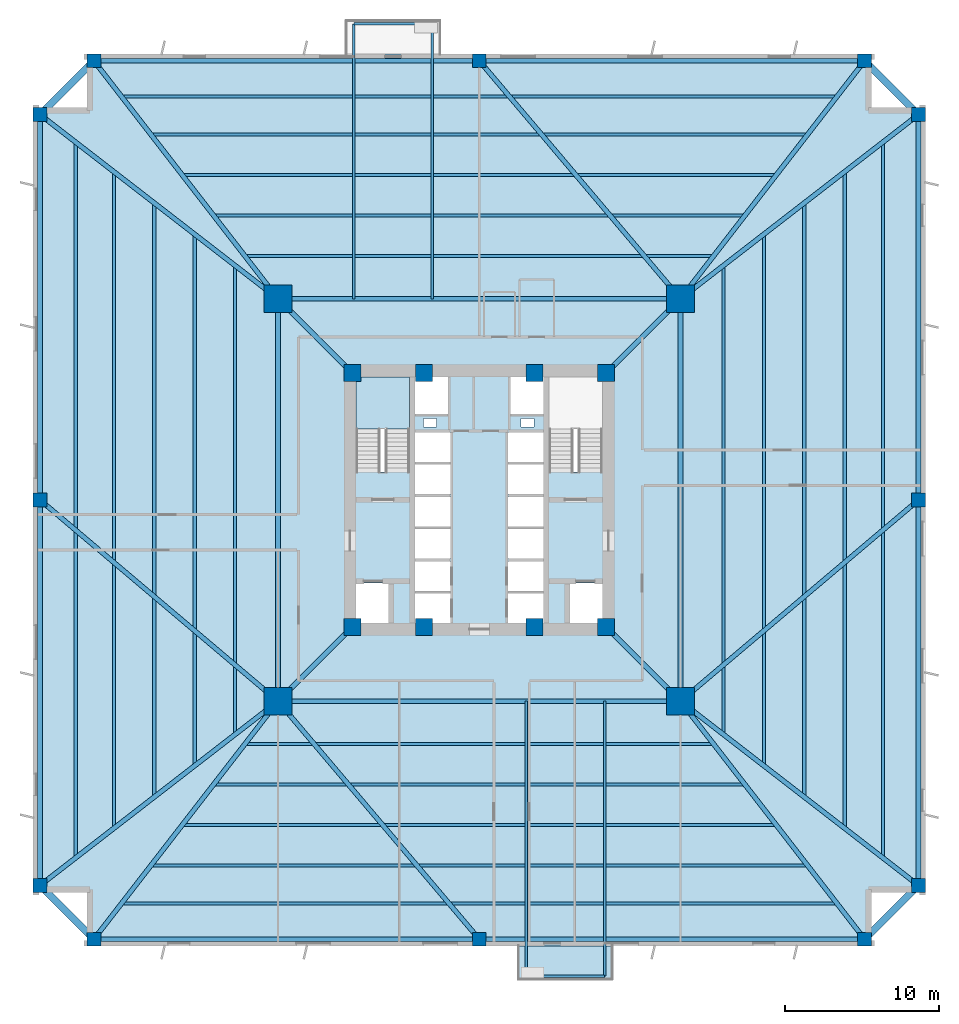
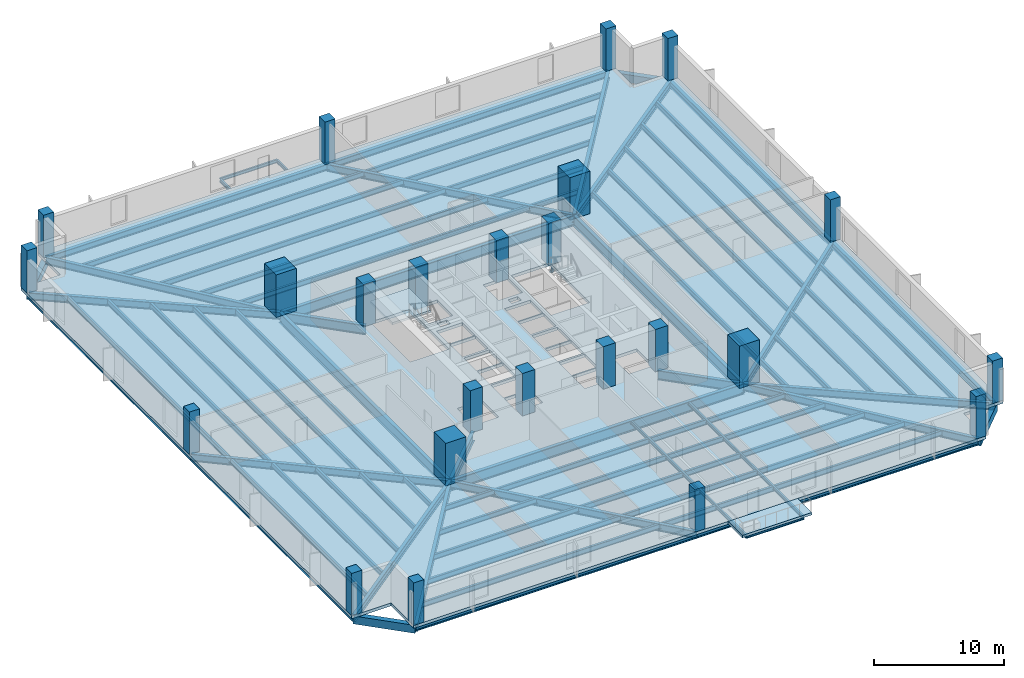
# One storey, part 1 of 8: 58 beams, 24 columns, 3 slabs, 1 element without a shape of its own.
"""IFC4 building model written with IfcOpenShell, lengths in metres."""

from ifc_helpers import new_model, si_unit, direction, frame, origin, origin_2d, place, context, subcontext, project, spatial, polyline, rectangle, i_section, outline, extrude, source, transform, mapped, material, layer, layer_set, material_profile, profile_set, type_object, element, aggregate, save


model = new_model("IFC4")

# Units and contexts
model_context = context("Model", 3, precision=1e-05, world=origin(), true_north=direction((0.0, 1.0)))
body_context = subcontext(model_context, "Body", "Model", "MODEL_VIEW")
ifc_project = project(units=[si_unit("LENGTHUNIT", "METRE"), si_unit("AREAUNIT", "SQUARE_METRE"), si_unit("VOLUMEUNIT", "CUBIC_METRE"), si_unit("PLANEANGLEUNIT", "RADIAN"), si_unit("MASSUNIT", "GRAM", prefix="KILO"), si_unit("THERMODYNAMICTEMPERATUREUNIT", "KELVIN")], contexts=[model_context])

# Site, building, storey
site_placement = place(None, origin())
site = spatial("IfcSite", under=ifc_project, at=site_placement, CompositionType="ELEMENT")
building_placement = place(site_placement, origin())
building = spatial("IfcBuilding", under=site, at=building_placement, Name="Kosmvard Interchange Tower", CompositionType="ELEMENT")
storey_placement = place(building_placement, frame((0.0, 0.0, 50.0)))
storey = spatial("IfcBuildingStorey", under=building, at=storey_placement, Name="L11", CompositionType="ELEMENT", Elevation=50.0)

# Columns
ifc_material_1 = material(Name="Concrete C80/95", Category="concrete")
ifc_material_profile_1 = material_profile(ifc_material_1, rectangle(XDim=1.10009765625, YDim=1.10009765625, at=origin_2d()), Name="CP 1100x1100")
ifc_profile_set_1 = profile_set([ifc_material_profile_1], Name="Concrete C80/95")
column_type_1 = type_object("IfcColumnType", Name="Core Boundary Pilaster 1100x1100 C80/95", PredefinedType="PILASTER", material=ifc_profile_set_1)
shared_shape_1 = source(origin(), body_context, "Body", "SweptSolid", [
    extrude(rectangle(XDim=1.10009765625, YDim=1.10009765625, at=origin_2d()), origin(), (0.0, 0.0, 1.0), 4.0),
])
for number, where, z_axis, x_axis, name in (
    (1, (-8.25, -8.25, 0.0), (0.0, 0.0, 1.0), (1.0, 0.0, 0.0), "L11 Core Pilaster CP1"),
    (2, (8.25, -8.25, 0.0), (0.0, 0.0, 1.0), (1.0, 0.0, 0.0), "L11 Core Pilaster CP2"),
    (3, (8.25, 8.25, 0.0), (0.0, 0.0, 1.0), (1.0, 0.0, 0.0), "L11 Core Pilaster CP3"),
    (4, (-8.25, 8.25, 0.0), (0.0, 0.0, 1.0), (1.0, 0.0, 0.0), "L11 Core Pilaster CP4"),
    (5, (-3.60009765625, -8.25, 0.0), (0.0, 0.0, 1.0), (1.0, 0.0, 0.0), "L11 Core Pilaster CP5"),
    (6, (3.60009765625, -8.25, 0.0), (0.0, 0.0, 1.0), (1.0, 0.0, 0.0), "L11 Core Pilaster CP6"),
    (7, (-3.60009765625, 8.25, 0.0), (0.0, 0.0, 1.0), (1.0, 0.0, 0.0), "L11 Core Pilaster CP7"),
    (8, (3.60009765625, 8.25, 0.0), (0.0, 0.0, 1.0), (1.0, 0.0, 0.0), "L11 Core Pilaster CP8"),
):
    element("IfcColumn", number, at=place(storey_placement, frame(where, z_axis=z_axis, x_axis=x_axis)), inside=storey, type_object=column_type_1, Name=name, PredefinedType="PILASTER", context=body_context, shape_type="MappedRepresentation", body=[
        mapped(shared_shape_1, transform((0.0, 0.0, 0.0), scale=1.0)),
    ])
ifc_material_profile_2 = material_profile(ifc_material_1, rectangle(XDim=1.800048828125, YDim=1.800048828125, at=origin_2d()), Name="MC 1800x1800")
ifc_profile_set_2 = profile_set([ifc_material_profile_2], Name="Concrete C80/95")
column_type_2 = type_object("IfcColumnType", Name="Composite Mega-Column 1800x1800 C80/95", PredefinedType="COLUMN", material=ifc_profile_set_2)
shared_shape_2 = source(origin(), body_context, "Body", "SweptSolid", [
    extrude(rectangle(XDim=1.800048828125, YDim=1.800048828125, at=origin_2d()), origin(), (0.0, 0.0, 1.0), 4.0),
])
for number, where, z_axis, x_axis, name in (
    (9, (-13.0810546875, -13.0810546875, 0.0), (0.0, 0.0, 1.0), (1.0, 0.0, 0.0), "L11 Corner Mega-Column MC1"),
    (10, (13.0810546875, -13.0810546875, 0.0), (0.0, 0.0, 1.0), (1.0, 0.0, 0.0), "L11 Corner Mega-Column MC2"),
    (11, (13.0810546875, 13.0810546875, 0.0), (0.0, 0.0, 1.0), (1.0, 0.0, 0.0), "L11 Corner Mega-Column MC3"),
    (12, (-13.0810546875, 13.0810546875, 0.0), (0.0, 0.0, 1.0), (1.0, 0.0, 0.0), "L11 Corner Mega-Column MC4"),
):
    element("IfcColumn", number, at=place(storey_placement, frame(where, z_axis=z_axis, x_axis=x_axis)), inside=storey, type_object=column_type_2, Name=name, PredefinedType="COLUMN", context=body_context, shape_type="MappedRepresentation", body=[
        mapped(shared_shape_2, transform((0.0, 0.0, 0.0), scale=1.0)),
    ])
ifc_material_2 = material(Name="Concrete C60/75", Category="concrete")
ifc_material_profile_3 = material_profile(ifc_material_2, rectangle(XDim=0.89990234375, YDim=0.89990234375, at=origin_2d()), Name="TC 900x900")
ifc_profile_set_3 = profile_set([ifc_material_profile_3], Name="Concrete C60/75")
column_type_3 = type_object("IfcColumnType", Name="Zone 1 Perimeter Pier Column 900x900 C60/75", PredefinedType="COLUMN", material=ifc_profile_set_3)
shared_shape_3 = source(origin(), body_context, "Body", "SweptSolid", [
    extrude(rectangle(XDim=0.89990234375, YDim=0.89990234375, at=origin_2d()), origin(), (0.0, 0.0, 1.0), 4.0),
])
for number, where, z_axis, x_axis, name in (
    (13, (-25.050048828125, -28.550048828125, 0.0), (0.0, 0.0, 1.0), (1.0, 0.0, 0.0), "L11 Perimeter Pier Column TC-S1"),
    (14, (0.0, -28.550048828125, 0.0), (0.0, 0.0, 1.0), (1.0, 0.0, 0.0), "L11 Perimeter Pier Column TC-S2"),
    (15, (25.050048828125, -28.550048828125, 0.0), (0.0, 0.0, 1.0), (1.0, 0.0, 0.0), "L11 Perimeter Pier Column TC-S3"),
    (16, (28.550048828125, -25.050048828125, 0.0), (0.0, 0.0, 1.0), (1.0, 0.0, 0.0), "L11 Perimeter Pier Column TC-E1"),
    (17, (28.550048828125, 0.0, 0.0), (0.0, 0.0, 1.0), (1.0, 0.0, 0.0), "L11 Perimeter Pier Column TC-E2"),
    (18, (28.550048828125, 25.050048828125, 0.0), (0.0, 0.0, 1.0), (1.0, 0.0, 0.0), "L11 Perimeter Pier Column TC-E3"),
    (19, (25.050048828125, 28.550048828125, 0.0), (0.0, 0.0, 1.0), (1.0, 0.0, 0.0), "L11 Perimeter Pier Column TC-N1"),
    (20, (0.0, 28.550048828125, 0.0), (0.0, 0.0, 1.0), (1.0, 0.0, 0.0), "L11 Perimeter Pier Column TC-N2"),
    (21, (-25.050048828125, 28.550048828125, 0.0), (0.0, 0.0, 1.0), (1.0, 0.0, 0.0), "L11 Perimeter Pier Column TC-N3"),
    (22, (-28.550048828125, 25.050048828125, 0.0), (0.0, 0.0, 1.0), (1.0, 0.0, 0.0), "L11 Perimeter Pier Column TC-W1"),
    (23, (-28.550048828125, 0.0, 0.0), (0.0, 0.0, 1.0), (1.0, 0.0, 0.0), "L11 Perimeter Pier Column TC-W2"),
    (24, (-28.550048828125, -25.050048828125, 0.0), (0.0, 0.0, 1.0), (1.0, 0.0, 0.0), "L11 Perimeter Pier Column TC-W3"),
):
    element("IfcColumn", number, at=place(storey_placement, frame(where, z_axis=z_axis, x_axis=x_axis)), inside=storey, type_object=column_type_3, Name=name, PredefinedType="COLUMN", context=body_context, shape_type="MappedRepresentation", body=[
        mapped(shared_shape_3, transform((0.0, 0.0, 0.0), scale=1.0)),
    ])

# Beams
ifc_material_3 = material(Name="Steel S460", Category="steel")
ifc_material_profile_4 = material_profile(ifc_material_3, i_section(OverallWidth=0.30810546875, OverallDepth=0.909912109375, WebThickness=0.02099609375, FlangeThickness=0.0400390625, FilletRadius=0.027099609375, at=origin_2d()), Name="HEM 900")
ifc_profile_set_4 = profile_set([ifc_material_profile_4], Name="Steel S460")
beam_type_1 = type_object("IfcBeamType", Name="Primary Mega-Frame Girder HEM 900 S460", PredefinedType="BEAM", material=ifc_profile_set_4)
shared_shape_4 = source(origin(), body_context, "Body", "SweptSolid", [
    extrude(i_section(OverallWidth=0.30810546875, OverallDepth=0.909912109375, WebThickness=0.02099609375, FlangeThickness=0.0400390625, FilletRadius=0.027099609375, at=origin_2d()), origin(), (0.0, 0.0, 1.0), 6.83203125),
])
for number, where, z_axis, x_axis, name in (
    (25, (-8.25, -8.25, -0.735107421875), (-0.707106781187, -0.707106781187, 0.0), (0.707106781187, -0.707106781187, 0.0), "L11 Radial Mega-Frame Girder 1"),
    (26, (8.25, -8.25, -0.735107421875), (0.707106781187, -0.707106781187, 0.0), (0.707106781187, 0.707106781187, 0.0), "L11 Radial Mega-Frame Girder 2"),
    (27, (8.25, 8.25, -0.735107421875), (0.707106781187, 0.707106781187, 0.0), (-0.707106781187, 0.707106781187, 0.0), "L11 Radial Mega-Frame Girder 3"),
    (28, (-8.25, 8.25, -0.735107421875), (-0.707106781187, 0.707106781187, 0.0), (-0.707106781187, -0.707106781187, 0.0), "L11 Radial Mega-Frame Girder 4"),
):
    element("IfcBeam", number, at=place(storey_placement, frame(where, z_axis=z_axis, x_axis=x_axis)), inside=storey, type_object=beam_type_1, Name=name, PredefinedType="BEAM", context=body_context, shape_type="MappedRepresentation", body=[
        mapped(shared_shape_4, transform((0.0, 0.0, 0.0), scale=1.0)),
    ])
ifc_material_profile_5 = material_profile(ifc_material_3, i_section(OverallWidth=0.30908203125, OverallDepth=1.008056640625, WebThickness=0.02099609375, FlangeThickness=0.0400390625, FilletRadius=0.030029296875, at=origin_2d()), Name="HEM 1000")
ifc_profile_set_5 = profile_set([ifc_material_profile_5], Name="Steel S460")
beam_type_2 = type_object("IfcBeamType", Name="Mega-Column Ring Girder HEM 1000 S460", PredefinedType="BEAM", material=ifc_profile_set_5)
shared_shape_5 = source(origin(), body_context, "Body", "SweptSolid", [
    extrude(i_section(OverallWidth=0.30908203125, OverallDepth=1.008056640625, WebThickness=0.02099609375, FlangeThickness=0.0400390625, FilletRadius=0.030029296875, at=origin_2d()), origin(), (0.0, 0.0, 1.0), 26.162109375),
])
for number, where, z_axis, x_axis, name in (
    (29, (-13.0810546875, -13.0810546875, -0.783935546875), (1.0, 0.0, 0.0), (0.0, 1.0, 0.0), "L11 Mega-Column Ring Girder 1"),
    (30, (13.0810546875, -13.0810546875, -0.783935546875), (0.0, 1.0, 0.0), (-1.0, 0.0, 0.0), "L11 Mega-Column Ring Girder 2"),
    (31, (13.0810546875, 13.0810546875, -0.783935546875), (-1.0, 0.0, 0.0), (0.0, -1.0, 0.0), "L11 Mega-Column Ring Girder 3"),
    (32, (-13.0810546875, 13.0810546875, -0.783935546875), (0.0, -1.0, 0.0), (1.0, 0.0, 0.0), "L11 Mega-Column Ring Girder 4"),
):
    element("IfcBeam", number, at=place(storey_placement, frame(where, z_axis=z_axis, x_axis=x_axis)), inside=storey, type_object=beam_type_2, Name=name, PredefinedType="BEAM", context=body_context, shape_type="MappedRepresentation", body=[
        mapped(shared_shape_5, transform((0.0, 0.0, 0.0), scale=1.0)),
    ])
ifc_material_4 = material(Name="Steel S355", Category="steel")
ifc_material_profile_6 = material_profile(ifc_material_4, i_section(OverallWidth=0.159912109375, OverallDepth=0.330078125, WebThickness=0.007568359375, FlangeThickness=0.011474609375, FilletRadius=0.01806640625, at=origin_2d()), Name="IPE 330")
ifc_profile_set_6 = profile_set([ifc_material_profile_6], Name="Steel S355")
beam_type_3 = type_object("IfcBeamType", Name="Balcony Cantilever Joist IPE 330 S355", PredefinedType="JOIST", material=ifc_profile_set_6)
shared_shape_6 = source(origin(), body_context, "Body", "SweptSolid", [
    extrude(i_section(OverallWidth=0.159912109375, OverallDepth=0.330078125, WebThickness=0.007568359375, FlangeThickness=0.011474609375, FilletRadius=0.01806640625, at=origin_2d()), origin(), (0.0, 0.0, 1.0), 17.868896484375),
])
for number, where, z_axis, x_axis, name in (
    (33, (-3.050048828125, 13.0810546875, -0.445068359375), (0.0, 1.0, 0.0), (-1.0, 0.0, 0.0), "BM-L11-BJ1"),
    (34, (-8.14990234375, 13.0810546875, -0.445068359375), (0.0, 1.0, 0.0), (-1.0, 0.0, 0.0), "BM-L11-BJB1"),
    (35, (3.050048828125, -13.0810546875, -0.445068359375), (0.0, -1.0, 0.0), (1.0, 0.0, 0.0), "BM-L11-BJ2"),
    (36, (8.14990234375, -13.0810546875, -0.445068359375), (0.0, -1.0, 0.0), (1.0, 0.0, 0.0), "BM-L11-BJB2"),
):
    element("IfcBeam", number, at=place(storey_placement, frame(where, z_axis=z_axis, x_axis=x_axis)), inside=storey, type_object=beam_type_3, Name=name, PredefinedType="JOIST", context=body_context, shape_type="MappedRepresentation", body=[
        mapped(shared_shape_6, transform((0.0, 0.0, 0.0), scale=1.0)),
    ])
ifc_material_profile_7 = material_profile(ifc_material_4, i_section(OverallWidth=0.14990234375, OverallDepth=0.300048828125, WebThickness=0.007080078125, FlangeThickness=0.0107421875, FilletRadius=0.014892578125, at=origin_2d()), Name="IPE 300")
ifc_profile_set_7 = profile_set([ifc_material_profile_7], Name="Steel S355")
beam_type_4 = type_object("IfcBeamType", Name="Balcony Edge Header Joist IPE 300 S355", PredefinedType="JOIST", material=ifc_profile_set_7)
shared_shape_7 = source(origin(), body_context, "Body", "SweptSolid", [
    extrude(i_section(OverallWidth=0.14990234375, OverallDepth=0.300048828125, WebThickness=0.007080078125, FlangeThickness=0.0107421875, FilletRadius=0.014892578125, at=origin_2d()), origin(), (0.0, 0.0, 1.0), 5.099853515625),
])
for number, where, z_axis, x_axis, name in (
    (37, (-3.050048828125, 30.949951171875, -0.429931640625), (-1.0, 0.0, 0.0), (0.0, -1.0, 0.0), "BM-L11-BJH1"),
    (38, (3.050048828125, -30.949951171875, -0.429931640625), (1.0, 0.0, 0.0), (0.0, 1.0, 0.0), "BM-L11-BJH2"),
):
    element("IfcBeam", number, at=place(storey_placement, frame(where, z_axis=z_axis, x_axis=x_axis)), inside=storey, type_object=beam_type_4, Name=name, PredefinedType="JOIST", context=body_context, shape_type="MappedRepresentation", body=[
        mapped(shared_shape_7, transform((0.0, 0.0, 0.0), scale=1.0)),
    ])
ifc_material_profile_8 = material_profile(ifc_material_4, i_section(OverallWidth=0.300048828125, OverallDepth=0.60009765625, WebThickness=0.015380859375, FlangeThickness=0.030029296875, FilletRadius=0.027099609375, at=origin_2d()), Name="HEB 600")
ifc_profile_set_8 = profile_set([ifc_material_profile_8], Name="Steel S355")
beam_type_5 = type_object("IfcBeamType", Name="Perimeter Tie Girder HEB 600 S355", PredefinedType="BEAM", material=ifc_profile_set_8)
shared_shape_8 = source(origin(), body_context, "Body", "SweptSolid", [
    extrude(i_section(OverallWidth=0.300048828125, OverallDepth=0.60009765625, WebThickness=0.015380859375, FlangeThickness=0.030029296875, FilletRadius=0.027099609375, at=origin_2d()), origin(), (0.0, 0.0, 1.0), 25.050048828125),
])
for number, where, z_axis, x_axis, name in (
    (39, (-25.050048828125, -28.550048828125, -0.580078125), (1.0, 0.0, 0.0), (0.0, 1.0, 0.0), "BM-L11-PR01"),
    (40, (0.0, -28.550048828125, -0.580078125), (1.0, 0.0, 0.0), (0.0, 1.0, 0.0), "BM-L11-PR02"),
    (41, (28.550048828125, -25.050048828125, -0.580078125), (0.0, 1.0, 0.0), (-1.0, 0.0, 0.0), "BM-L11-PR04"),
    (42, (28.550048828125, 0.0, -0.580078125), (0.0, 1.0, 0.0), (-1.0, 0.0, 0.0), "BM-L11-PR05"),
    (43, (25.050048828125, 28.550048828125, -0.580078125), (-1.0, 0.0, 0.0), (0.0, -1.0, 0.0), "BM-L11-PR07"),
    (44, (0.0, 28.550048828125, -0.580078125), (-1.0, 0.0, 0.0), (0.0, -1.0, 0.0), "BM-L11-PR08"),
    (45, (-28.550048828125, 25.050048828125, -0.580078125), (0.0, -1.0, 0.0), (1.0, 0.0, 0.0), "BM-L11-PR10"),
    (46, (-28.550048828125, 0.0, -0.580078125), (0.0, -1.0, 0.0), (1.0, 0.0, 0.0), "BM-L11-PR11"),
):
    element("IfcBeam", number, at=place(storey_placement, frame(where, z_axis=z_axis, x_axis=x_axis)), inside=storey, type_object=beam_type_5, Name=name, PredefinedType="BEAM", context=body_context, shape_type="MappedRepresentation", body=[
        mapped(shared_shape_8, transform((0.0, 0.0, 0.0), scale=1.0)),
    ])
ifc_material_profile_9 = material_profile(ifc_material_4, i_section(OverallWidth=0.300048828125, OverallDepth=0.699951171875, WebThickness=0.01708984375, FlangeThickness=0.031982421875, FilletRadius=0.027099609375, at=origin_2d()), Name="HEB 700")
ifc_profile_set_9 = profile_set([ifc_material_profile_9], Name="Steel S355")
beam_type_6 = type_object("IfcBeamType", Name="Primary Floor Girder HEB 700 S355", PredefinedType="BEAM", material=ifc_profile_set_9)
shared_shape_9 = source(origin(), body_context, "Body", "SweptSolid", [
    extrude(i_section(OverallWidth=0.300048828125, OverallDepth=0.699951171875, WebThickness=0.01708984375, FlangeThickness=0.031982421875, FilletRadius=0.027099609375, at=origin_2d()), origin(), (0.0, 0.0, 1.0), 19.558837890625),
])
for number, where, z_axis, x_axis, name in (
    (47, (-13.0810546875, -13.0810546875, -0.6298828125), (-0.611949354357, -0.79089695138, 0.0), (0.79089695138, -0.611949354357, 0.0), "BM-L11-RD01"),
    (48, (13.0810546875, -13.0810546875, -0.6298828125), (0.611949354357, -0.79089695138, 0.0), (0.79089695138, 0.611949354357, 0.0), "BM-L11-RD03"),
    (49, (13.0810546875, -13.0810546875, -0.6298828125), (0.79089695138, -0.611949354357, 0.0), (0.611949354357, 0.79089695138, 0.0), "BM-L11-RD04"),
    (50, (13.0810546875, 13.0810546875, -0.6298828125), (0.79089695138, 0.611949354357, 0.0), (-0.611949354357, 0.79089695138, 0.0), "BM-L11-RD06"),
    (51, (13.0810546875, 13.0810546875, -0.6298828125), (0.611949354357, 0.79089695138, 0.0), (-0.79089695138, 0.611949354357, 0.0), "BM-L11-RD07"),
    (52, (-13.0810546875, 13.0810546875, -0.6298828125), (-0.611949354357, 0.79089695138, 0.0), (-0.79089695138, -0.611949354357, 0.0), "BM-L11-RD09"),
    (53, (-13.0810546875, 13.0810546875, -0.6298828125), (-0.79089695138, 0.611949354357, 0.0), (-0.611949354357, -0.79089695138, 0.0), "BM-L11-RD10"),
    (54, (-13.0810546875, -13.0810546875, -0.6298828125), (-0.79089695138, -0.611949354357, 0.0), (0.611949354357, -0.79089695138, 0.0), "BM-L11-RD12"),
):
    element("IfcBeam", number, at=place(storey_placement, frame(where, z_axis=z_axis, x_axis=x_axis)), inside=storey, type_object=beam_type_6, Name=name, PredefinedType="BEAM", context=body_context, shape_type="MappedRepresentation", body=[
        mapped(shared_shape_9, transform((0.0, 0.0, 0.0), scale=1.0)),
    ])
shared_shape_10 = source(origin(), body_context, "Body", "SweptSolid", [
    extrude(i_section(OverallWidth=0.300048828125, OverallDepth=0.699951171875, WebThickness=0.01708984375, FlangeThickness=0.031982421875, FilletRadius=0.027099609375, at=origin_2d()), origin(), (0.0, 0.0, 1.0), 20.258544921875),
])
for number, where, z_axis, x_axis, name in (
    (55, (-13.0810546875, -13.0810546875, -0.6298828125), (0.645709371734, -0.763583268056, 0.0), (0.763583268056, 0.645709371734, 0.0), "BM-L11-RD02"),
    (56, (13.0810546875, -13.0810546875, -0.6298828125), (0.763583268056, 0.645709371734, 0.0), (-0.645709371734, 0.763583268056, 0.0), "BM-L11-RD05"),
    (57, (13.0810546875, 13.0810546875, -0.6298828125), (-0.645709371734, 0.763583268056, 0.0), (-0.763583268056, -0.645709371734, 0.0), "BM-L11-RD08"),
    (58, (-13.0810546875, -13.0810546875, -0.6298828125), (-0.763583268056, 0.645709371734, 0.0), (-0.645709371734, -0.763583268056, 0.0), "BM-L11-RD11"),
):
    element("IfcBeam", number, at=place(storey_placement, frame(where, z_axis=z_axis, x_axis=x_axis)), inside=storey, type_object=beam_type_6, Name=name, PredefinedType="BEAM", context=body_context, shape_type="MappedRepresentation", body=[
        mapped(shared_shape_10, transform((0.0, 0.0, 0.0), scale=1.0)),
    ])
ifc_material_5 = material(Name="Precast concrete C45/55", Category="concrete")
ifc_material_profile_10 = material_profile(ifc_material_5, rectangle(XDim=0.449951171875, YDim=0.75, at=origin_2d()), Name="SL 450x750")
ifc_profile_set_10 = profile_set([ifc_material_profile_10], Name="Precast concrete C45/55")
beam_type_7 = type_object("IfcBeamType", Name="Precast Spandrel Lintel 450x750 C45/55", PredefinedType="LINTEL", material=ifc_profile_set_10)
shared_shape_11 = source(origin(), body_context, "Body", "SweptSolid", [
    extrude(rectangle(XDim=0.449951171875, YDim=0.75, at=origin_2d()), origin(), (0.0, 0.0, 1.0), 4.94970703125),
])
for number, where, z_axis, x_axis, name in (
    (59, (25.050048828125, -28.550048828125, -0.655029296875), (0.707106781187, 0.707106781187, 0.0), (-0.707106781187, 0.707106781187, 0.0), "BM-L11-SL1"),
    (60, (28.550048828125, 25.050048828125, -0.655029296875), (-0.707106781187, 0.707106781187, 0.0), (-0.707106781187, -0.707106781187, 0.0), "BM-L11-SL2"),
    (61, (-25.050048828125, 28.550048828125, -0.655029296875), (-0.707106781187, -0.707106781187, 0.0), (0.707106781187, -0.707106781187, 0.0), "BM-L11-SL3"),
    (62, (-28.550048828125, -25.050048828125, -0.655029296875), (0.707106781187, -0.707106781187, 0.0), (0.707106781187, 0.707106781187, 0.0), "BM-L11-SL4"),
):
    element("IfcBeam", number, at=place(storey_placement, frame(where, z_axis=z_axis, x_axis=x_axis)), inside=storey, type_object=beam_type_7, Name=name, PredefinedType="LINTEL", context=body_context, shape_type="MappedRepresentation", body=[
        mapped(shared_shape_11, transform((0.0, 0.0, 0.0), scale=1.0)),
    ])
ifc_material_profile_11 = material_profile(ifc_material_4, i_section(OverallWidth=0.199951171875, OverallDepth=0.5, WebThickness=0.01025390625, FlangeThickness=0.01611328125, FilletRadius=0.02099609375, at=origin_2d()), Name="IPE 500")
ifc_profile_set_11 = profile_set([ifc_material_profile_11], Name="Steel S355")
beam_type_8 = type_object("IfcBeamType", Name="Standard Floor Joist IPE 500 S355", PredefinedType="JOIST", material=ifc_profile_set_11)
shared_shape_12 = source(origin(), body_context, "Body", "SweptSolid", [
    extrude(i_section(OverallWidth=0.199951171875, OverallDepth=0.5, WebThickness=0.01025390625, FlangeThickness=0.01611328125, FilletRadius=0.02099609375, at=origin_2d()), origin(), (0.0, 0.0, 1.0), 30.31103515625),
])
for number, where, z_axis, x_axis, name in (
    (63, (-15.155517578125, -15.865478515625, -0.530029296875), (1.0, 0.0, 0.0), (0.0, 1.0, 0.0), "BM-L11-FJ01"),
    (64, (15.865478515625, -15.155517578125, -0.530029296875), (0.0, 1.0, 0.0), (-1.0, 0.0, 0.0), "BM-L11-FJ06"),
    (65, (15.155517578125, 15.865478515625, -0.530029296875), (-1.0, 0.0, 0.0), (0.0, -1.0, 0.0), "BM-L11-FJ11"),
    (66, (-15.865478515625, 15.155517578125, -0.530029296875), (0.0, -1.0, 0.0), (1.0, 0.0, 0.0), "BM-L11-FJ16"),
):
    element("IfcBeam", number, at=place(storey_placement, frame(where, z_axis=z_axis, x_axis=x_axis)), inside=storey, type_object=beam_type_8, Name=name, PredefinedType="JOIST", context=body_context, shape_type="MappedRepresentation", body=[
        mapped(shared_shape_12, transform((0.0, 0.0, 0.0), scale=1.0)),
    ])
shared_shape_13 = source(origin(), body_context, "Body", "SweptSolid", [
    extrude(i_section(OverallWidth=0.199951171875, OverallDepth=0.5, WebThickness=0.01025390625, FlangeThickness=0.01611328125, FilletRadius=0.02099609375, at=origin_2d()), origin(), (0.0, 0.0, 1.0), 34.38037109375),
])
for number, where, z_axis, x_axis, name in (
    (67, (-17.190185546875, -18.4951171875, -0.530029296875), (1.0, 0.0, 0.0), (0.0, 1.0, 0.0), "BM-L11-FJ02"),
    (68, (18.4951171875, -17.190185546875, -0.530029296875), (0.0, 1.0, 0.0), (-1.0, 0.0, 0.0), "BM-L11-FJ07"),
    (69, (17.190185546875, 18.4951171875, -0.530029296875), (-1.0, 0.0, 0.0), (0.0, -1.0, 0.0), "BM-L11-FJ12"),
    (70, (-18.4951171875, 17.190185546875, -0.530029296875), (0.0, -1.0, 0.0), (1.0, 0.0, 0.0), "BM-L11-FJ17"),
):
    element("IfcBeam", number, at=place(storey_placement, frame(where, z_axis=z_axis, x_axis=x_axis)), inside=storey, type_object=beam_type_8, Name=name, PredefinedType="JOIST", context=body_context, shape_type="MappedRepresentation", body=[
        mapped(shared_shape_13, transform((0.0, 0.0, 0.0), scale=1.0)),
    ])
shared_shape_14 = source(origin(), body_context, "Body", "SweptSolid", [
    extrude(i_section(OverallWidth=0.199951171875, OverallDepth=0.5, WebThickness=0.01025390625, FlangeThickness=0.01611328125, FilletRadius=0.02099609375, at=origin_2d()), origin(), (0.0, 0.0, 1.0), 38.44970703125),
])
for number, where, z_axis, x_axis, name in (
    (71, (-19.224853515625, -21.125, -0.530029296875), (1.0, 0.0, 0.0), (0.0, 1.0, 0.0), "BM-L11-FJ03"),
    (72, (21.125, -19.224853515625, -0.530029296875), (0.0, 1.0, 0.0), (-1.0, 0.0, 0.0), "BM-L11-FJ08"),
    (73, (19.224853515625, 21.125, -0.530029296875), (-1.0, 0.0, 0.0), (0.0, -1.0, 0.0), "BM-L11-FJ13"),
    (74, (-21.125, 19.224853515625, -0.530029296875), (0.0, -1.0, 0.0), (1.0, 0.0, 0.0), "BM-L11-FJ18"),
):
    element("IfcBeam", number, at=place(storey_placement, frame(where, z_axis=z_axis, x_axis=x_axis)), inside=storey, type_object=beam_type_8, Name=name, PredefinedType="JOIST", context=body_context, shape_type="MappedRepresentation", body=[
        mapped(shared_shape_14, transform((0.0, 0.0, 0.0), scale=1.0)),
    ])
shared_shape_15 = source(origin(), body_context, "Body", "SweptSolid", [
    extrude(i_section(OverallWidth=0.199951171875, OverallDepth=0.5, WebThickness=0.01025390625, FlangeThickness=0.01611328125, FilletRadius=0.02099609375, at=origin_2d()), origin(), (0.0, 0.0, 1.0), 42.51904296875),
])
for number, where, z_axis, x_axis, name in (
    (75, (-21.259521484375, -23.754638671875, -0.530029296875), (1.0, 0.0, 0.0), (0.0, 1.0, 0.0), "BM-L11-FJ04"),
    (76, (23.754638671875, -21.259521484375, -0.530029296875), (0.0, 1.0, 0.0), (-1.0, 0.0, 0.0), "BM-L11-FJ09"),
    (77, (21.259521484375, 23.754638671875, -0.530029296875), (-1.0, 0.0, 0.0), (0.0, -1.0, 0.0), "BM-L11-FJ14"),
    (78, (-23.754638671875, 21.259521484375, -0.530029296875), (0.0, -1.0, 0.0), (1.0, 0.0, 0.0), "BM-L11-FJ19"),
):
    element("IfcBeam", number, at=place(storey_placement, frame(where, z_axis=z_axis, x_axis=x_axis)), inside=storey, type_object=beam_type_8, Name=name, PredefinedType="JOIST", context=body_context, shape_type="MappedRepresentation", body=[
        mapped(shared_shape_15, transform((0.0, 0.0, 0.0), scale=1.0)),
    ])
shared_shape_16 = source(origin(), body_context, "Body", "SweptSolid", [
    extrude(i_section(OverallWidth=0.199951171875, OverallDepth=0.5, WebThickness=0.01025390625, FlangeThickness=0.01611328125, FilletRadius=0.02099609375, at=origin_2d()), origin(), (0.0, 0.0, 1.0), 46.34912109375),
])
for number, where, z_axis, x_axis, name in (
    (79, (-23.174560546875, -26.229736328125, -0.530029296875), (1.0, 0.0, 0.0), (0.0, 1.0, 0.0), "BM-L11-FJ05"),
    (80, (26.229736328125, -23.174560546875, -0.530029296875), (0.0, 1.0, 0.0), (-1.0, 0.0, 0.0), "BM-L11-FJ10"),
    (81, (23.174560546875, 26.229736328125, -0.530029296875), (-1.0, 0.0, 0.0), (0.0, -1.0, 0.0), "BM-L11-FJ15"),
    (82, (-26.229736328125, 23.174560546875, -0.530029296875), (0.0, -1.0, 0.0), (1.0, 0.0, 0.0), "BM-L11-FJ20"),
):
    element("IfcBeam", number, at=place(storey_placement, frame(where, z_axis=z_axis, x_axis=x_axis)), inside=storey, type_object=beam_type_8, Name=name, PredefinedType="JOIST", context=body_context, shape_type="MappedRepresentation", body=[
        mapped(shared_shape_16, transform((0.0, 0.0, 0.0), scale=1.0)),
    ])

# Slab
ifc_material_6 = material(Name="Concrete C50/60", Category="concrete")
ifc_layer_1 = layer(ifc_material_6, 0.280029296875, Name="Concrete C50/60")
ifc_layer_set_1 = layer_set([ifc_layer_1], Name="Concrete C50/60")
slab_type_1 = type_object("IfcSlabType", Name="Low-Rise Office Composite Slab 280 C50/60", PredefinedType="FLOOR", material=ifc_layer_set_1)
slab_1_placement = place(storey_placement, frame((0.0, 0.0, -0.280029296875)))
element("IfcSlab", 83, at=slab_1_placement, inside=storey, type_object=slab_type_1, Name="L11 Structural Floor Slab", PredefinedType="FLOOR", context=body_context, shape_type="SweptSolid", body=[
    extrude(outline(polyline([(-25.5, -29.0), (25.5, -29.0), (25.5, -25.5), (29.0, -25.5), (29.0, 25.5), (25.5, 25.5), (25.5, 29.0), (-25.5, 29.0), (-25.5, 25.5), (-29.0, 25.5), (-29.0, -25.5), (-25.5, -25.5), (-25.5, -29.0)]), holes=[polyline([(-8.0, 1.8349609375), (-4.5400390625, 1.8349609375), (-4.5400390625, 8.0), (-8.0, 8.0), (-8.0, 1.8349609375)]), polyline([(4.5400390625, 1.8349609375), (8.0, 1.8349609375), (8.0, 8.0), (4.5400390625, 8.0), (4.5400390625, 1.8349609375)]), polyline([(-8.0, -8.0), (-5.800048828125, -8.0), (-5.800048828125, -5.39990234375), (-8.0, -5.39990234375), (-8.0, -8.0)]), polyline([(5.800048828125, -8.0), (8.0, -8.0), (8.0, -5.39990234375), (5.800048828125, -5.39990234375), (5.800048828125, -8.0)]), polyline([(-4.179931640625, -8.0), (-1.8798828125, -8.0), (-1.8798828125, -6.06005859375), (-4.179931640625, -6.06005859375), (-4.179931640625, -8.0)]), polyline([(-4.179931640625, -5.93994140625), (-1.8798828125, -5.93994140625), (-1.8798828125, -4.0), (-4.179931640625, -4.0), (-4.179931640625, -5.93994140625)]), polyline([(1.8798828125, -8.0), (4.179931640625, -8.0), (4.179931640625, -6.06005859375), (1.8798828125, -6.06005859375), (1.8798828125, -8.0)]), polyline([(1.8798828125, -5.93994140625), (4.179931640625, -5.93994140625), (4.179931640625, -4.0), (1.8798828125, -4.0), (1.8798828125, -5.93994140625)]), polyline([(-4.179931640625, -3.800048828125), (-1.8798828125, -3.800048828125), (-1.8798828125, -1.860107421875), (-4.179931640625, -1.860107421875), (-4.179931640625, -3.800048828125)]), polyline([(-4.179931640625, -1.739990234375), (-1.8798828125, -1.739990234375), (-1.8798828125, 0.199951171875), (-4.179931640625, 0.199951171875), (-4.179931640625, -1.739990234375)]), polyline([(1.8798828125, -3.800048828125), (4.179931640625, -3.800048828125), (4.179931640625, -1.860107421875), (1.8798828125, -1.860107421875), (1.8798828125, -3.800048828125)]), polyline([(1.8798828125, -1.739990234375), (4.179931640625, -1.739990234375), (4.179931640625, 0.199951171875), (1.8798828125, 0.199951171875), (1.8798828125, -1.739990234375)]), polyline([(-4.179931640625, 0.39990234375), (-1.8798828125, 0.39990234375), (-1.8798828125, 2.340087890625), (-4.179931640625, 2.340087890625), (-4.179931640625, 0.39990234375)]), polyline([(-4.179931640625, 2.4599609375), (-1.8798828125, 2.4599609375), (-1.8798828125, 4.39990234375), (-4.179931640625, 4.39990234375), (-4.179931640625, 2.4599609375)]), polyline([(1.8798828125, 0.39990234375), (4.179931640625, 0.39990234375), (4.179931640625, 2.340087890625), (1.8798828125, 2.340087890625), (1.8798828125, 0.39990234375)]), polyline([(1.8798828125, 2.4599609375), (4.179931640625, 2.4599609375), (4.179931640625, 4.39990234375), (1.8798828125, 4.39990234375), (1.8798828125, 2.4599609375)]), polyline([(-4.179931640625, 5.60009765625), (-2.0400390625, 5.60009765625), (-2.0400390625, 8.0), (-4.179931640625, 8.0), (-4.179931640625, 5.60009765625)]), polyline([(2.0400390625, 5.60009765625), (4.179931640625, 5.60009765625), (4.179931640625, 8.0), (2.0400390625, 8.0), (2.0400390625, 5.60009765625)]), polyline([(-3.614990234375, 4.739990234375), (-2.764892578125, 4.739990234375), (-2.764892578125, 5.2900390625), (-3.614990234375, 5.2900390625), (-3.614990234375, 4.739990234375)]), polyline([(2.715087890625, 4.739990234375), (3.56494140625, 4.739990234375), (3.56494140625, 5.2900390625), (2.715087890625, 5.2900390625), (2.715087890625, 4.739990234375)])]), origin(), (0.0, 0.0, 1.0), 0.280029296875),
])

# Stair, slab
stair_type = type_object("IfcStairType", Name="Dog-Leg Core Exit Stair H4000 C50/60", PredefinedType="HALF_TURN_STAIR", material=ifc_material_6)
stair_placement = place(storey_placement, origin())
stair = element("IfcStair", 84, at=stair_placement, inside=storey, type_object=stair_type, Name="L11 Protected Exit Stair ST-1", PredefinedType="HALF_TURN_STAIR")
ifc_layer_2 = layer(ifc_material_6, 0.199951171875, Name="Concrete C50/60")
ifc_layer_set_2 = layer_set([ifc_layer_2], Name="Concrete C50/60")
slab_type_2 = type_object("IfcSlabType", Name="Stair Half-Landing Slab 200 C50/60", PredefinedType="LANDING", material=ifc_layer_set_2)
slab_2_placement = place(storey_placement, frame((0.0, 0.0, 1.800048828125)))
slab_2 = element("IfcSlab", 85, at=slab_2_placement, type_object=slab_type_2, Name="ST-1 landing 1", PredefinedType="LANDING", context=body_context, shape_type="SweptSolid", body=[
    extrude(outline(polyline([(-4.5400390625, 4.60009765625), (-4.5400390625, 8.0), (-8.0, 8.0), (-8.0, 4.60009765625), (-4.5400390625, 4.60009765625)])), origin(), (0.0, 0.0, 1.0), 0.199951171875),
])
aggregate(stair, [slab_2])

# Slab
ifc_layer_3 = layer(ifc_material_6, 0.22998046875, Name="Concrete C50/60")
ifc_layer_set_3 = layer_set([ifc_layer_3], Name="Concrete C50/60")
slab_type_3 = type_object("IfcSlabType", Name="Tree-Planter Cantilever Balcony Slab 230 C50/60", PredefinedType="FLOOR", material=ifc_layer_set_3)
slab_3_placement = place(storey_placement, frame((0.0, 0.0, -0.22998046875)))
element("IfcSlab", 86, at=slab_3_placement, inside=storey, type_object=slab_type_3, Name="L11 Outdoor Terrace Balcony Slab BAL-L11-SW", PredefinedType="FLOOR", context=body_context, shape_type="SweptSolid", body=[
    extrude(outline(polyline([(2.5, -31.199951171875), (8.699951171875, -31.199951171875), (8.699951171875, -29.0), (2.5, -29.0), (2.5, -31.199951171875)])), origin(), (0.0, 0.0, 1.0), 0.22998046875),
])

save(model, "model.ifc")
